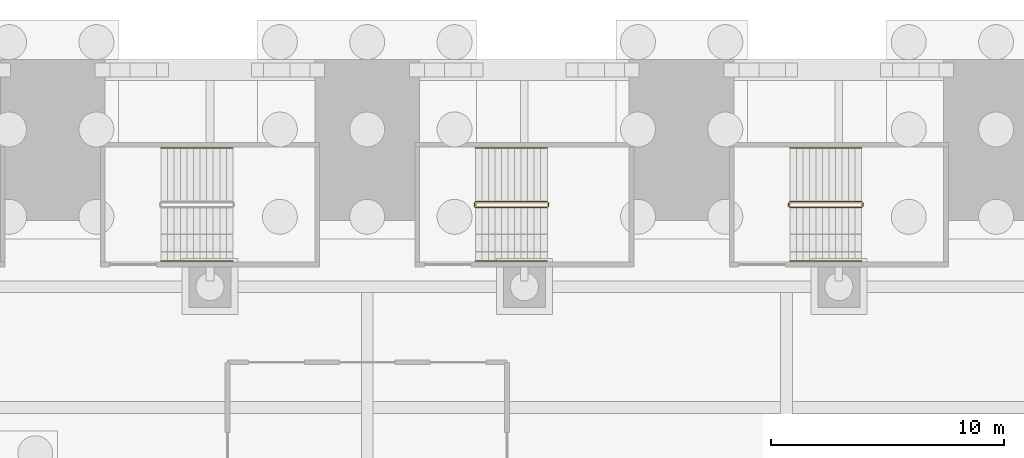
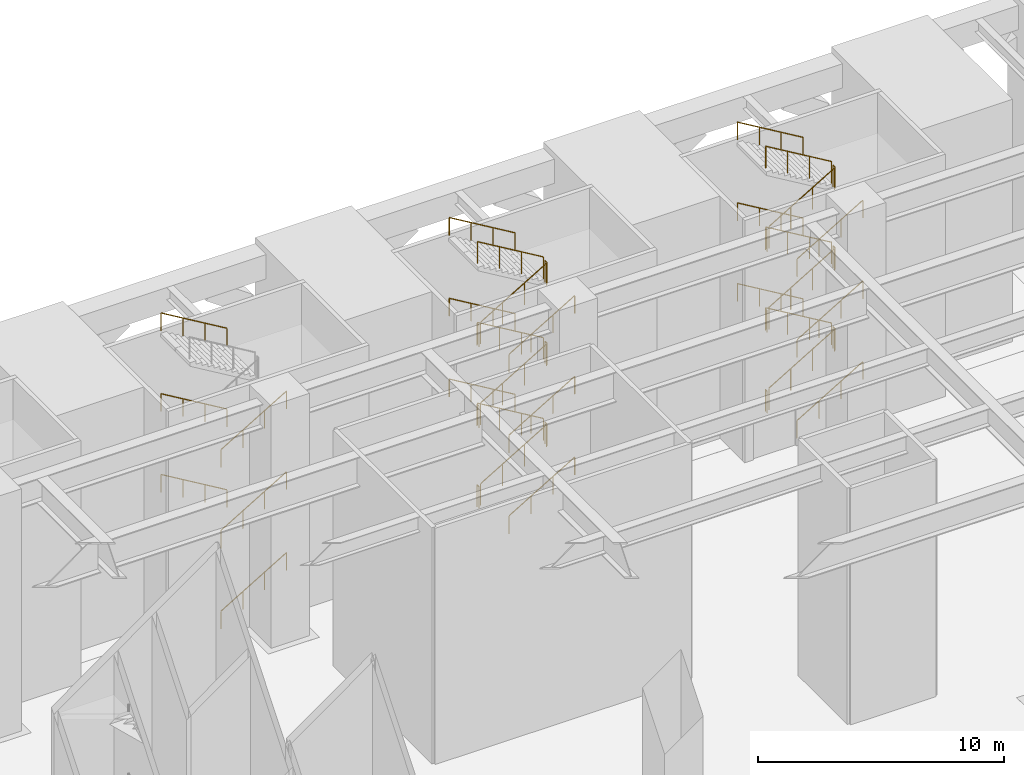
# One storey, part 32 of 34: 5 railings.
"""IFC4 building model written with IfcOpenShell, lengths in metres."""

from ifc_helpers import new_model, si_unit, direction, frame, origin, origin_2d, place, context, subcontext, project, spatial, circle, extrude, material, type_object, element, save


model = new_model("IFC4")

# Units and contexts
model_context = context("Model", 3, precision=1e-05, world=origin(), true_north=direction((0.0, 1.0)))
body_context = subcontext(model_context, "Body", "Model", "MODEL_VIEW")
ifc_project = project(units=[si_unit("LENGTHUNIT", "METRE"), si_unit("AREAUNIT", "SQUARE_METRE"), si_unit("VOLUMEUNIT", "CUBIC_METRE"), si_unit("PLANEANGLEUNIT", "RADIAN"), si_unit("MASSUNIT", "GRAM", prefix="KILO")], contexts=[model_context])

# Site, building, storey
site_placement = place(None, origin())
site = spatial("IfcSite", under=ifc_project, at=site_placement, CompositionType="ELEMENT")
building_placement = place(site_placement, origin())
building = spatial("IfcBuilding", under=site, at=building_placement, Name="Corbelhall Arena Tower", CompositionType="ELEMENT")
storey_placement = place(building_placement, origin())
storey = spatial("IfcBuildingStorey", under=building, at=storey_placement, Name="L00", CompositionType="ELEMENT", Elevation=0.0)

# Railings
ifc_material = material(Name="Stainless steel A4", Category="steel")
railing_type_1 = type_object("IfcRailingType", Name="AR-STAIR-GUARD", PredefinedType="GUARDRAIL", material=ifc_material)
railing_1_placement = place(storey_placement, frame((4.64990234375, 32.64990234375, 0.166748046875)))
element("IfcRailing", 1, at=railing_1_placement, inside=storey, type_object=railing_type_1, Name="L00 AS11 stair guards", PredefinedType="GUARDRAIL", context=body_context, shape_type="SweptSolid", body=[
    extrude(circle(Radius=0.02392578125, at=origin_2d()), frame((0.0, 0.0, 1.076171875), z_axis=(0.859308565015, 0.0, 0.511457515432), x_axis=(0.0, 1.0, 0.0)), (0.0, 0.0, 1.0), 3.58447265625),
    extrude(circle(Radius=0.02392578125, at=origin_2d()), frame((3.130126953125, 0.050048828125, 2.9091796875), z_axis=(0.0, 1.0, 0.0), x_axis=(-1.0, 0.0, 0.0)), (0.0, 0.0, 1.0), 0.150146484375),
    extrude(circle(Radius=0.02392578125, at=origin_2d()), frame((3.080078125, 0.25, 3.076171875), z_axis=(-0.859308565015, 0.0, 0.511457515432), x_axis=(0.0, -1.0, 0.0)), (0.0, 0.0, 1.0), 3.58447265625),
    extrude(circle(Radius=0.02392578125, at=origin_2d()), frame((-0.0498046875, 0.050048828125, 4.9091796875), z_axis=(0.0, 1.0, 0.0), x_axis=(-1.0, 0.0, 0.0)), (0.0, 0.0, 1.0), 0.150146484375),
    extrude(circle(Radius=0.02392578125, at=origin_2d()), frame((0.0, 0.0, 5.076171875), z_axis=(0.859308565015, 0.0, 0.511457515432), x_axis=(0.0, 1.0, 0.0)), (0.0, 0.0, 1.0), 3.58447265625),
    extrude(circle(Radius=0.02392578125, at=origin_2d()), frame((3.130126953125, 0.050048828125, 6.9091796875), z_axis=(0.0, 1.0, 0.0), x_axis=(-1.0, 0.0, 0.0)), (0.0, 0.0, 1.0), 0.150146484375),
    extrude(circle(Radius=0.02392578125, at=origin_2d()), frame((3.080078125, 0.25, 7.076171875), z_axis=(-0.859308565015, 0.0, 0.511457515432), x_axis=(0.0, -1.0, 0.0)), (0.0, 0.0, 1.0), 3.58447265625),
    extrude(circle(Radius=0.02392578125, at=origin_2d()), frame((-0.0498046875, 0.050048828125, 8.9091796875), z_axis=(0.0, 1.0, 0.0), x_axis=(-1.0, 0.0, 0.0)), (0.0, 0.0, 1.0), 0.150146484375),
    extrude(circle(Radius=0.02392578125, at=origin_2d()), frame((0.0, 0.0, 9.076171875), z_axis=(0.859308565015, 0.0, 0.511457515432), x_axis=(0.0, 1.0, 0.0)), (0.0, 0.0, 1.0), 3.58447265625),
    extrude(circle(Radius=0.02392578125, at=origin_2d()), frame((3.130126953125, 0.050048828125, 10.9091796875), z_axis=(0.0, 1.0, 0.0), x_axis=(-1.0, 0.0, 0.0)), (0.0, 0.0, 1.0), 0.150146484375),
    extrude(circle(Radius=0.02392578125, at=origin_2d()), frame((3.080078125, 0.25, 11.076171875), z_axis=(-0.859308565015, 0.0, 0.511457515432), x_axis=(0.0, -1.0, 0.0)), (0.0, 0.0, 1.0), 3.58447265625),
    extrude(circle(Radius=0.02392578125, at=origin_2d()), frame((-0.0498046875, 0.050048828125, 0.9091796875), z_axis=(0.0, 1.0, 0.0), x_axis=(-1.0, 0.0, 0.0)), (0.0, 0.0, 1.0), 0.150146484375),
    extrude(circle(Radius=0.02099609375, at=origin_2d()), origin(), (0.0, 0.0, 1.0), 1.052001953125),
    extrude(circle(Radius=0.02099609375, at=origin_2d()), frame((1.026611328125, 0.0, 0.611083984375)), (0.0, 0.0, 1.0), 1.052001953125),
    extrude(circle(Radius=0.02099609375, at=origin_2d()), frame((2.053466796875, 0.0, 1.22216796875)), (0.0, 0.0, 1.0), 1.052001953125),
    extrude(circle(Radius=0.02099609375, at=origin_2d()), frame((3.080078125, 0.0, 1.833251953125)), (0.0, 0.0, 1.0), 1.052001953125),
    extrude(circle(Radius=0.02099609375, at=origin_2d()), frame((3.130126953125, 0.050048828125, 1.833251953125)), (0.0, 0.0, 1.0), 1.052001953125),
    extrude(circle(Radius=0.02099609375, at=origin_2d()), frame((3.130126953125, 0.2001953125, 1.833251953125)), (0.0, 0.0, 1.0), 1.052001953125),
    extrude(circle(Radius=0.02099609375, at=origin_2d()), frame((3.080078125, 0.25, 2.0)), (0.0, 0.0, 1.0), 1.052001953125),
    extrude(circle(Radius=0.02099609375, at=origin_2d()), frame((2.053466796875, 0.25, 2.611083984375)), (0.0, 0.0, 1.0), 1.052001953125),
    extrude(circle(Radius=0.02099609375, at=origin_2d()), frame((1.026611328125, 0.25, 3.22216796875)), (0.0, 0.0, 1.0), 1.052001953125),
    extrude(circle(Radius=0.02099609375, at=origin_2d()), frame((0.0, 0.25, 3.833251953125)), (0.0, 0.0, 1.0), 1.052001953125),
    extrude(circle(Radius=0.02099609375, at=origin_2d()), frame((-0.0498046875, 0.050048828125, 3.833251953125)), (0.0, 0.0, 1.0), 1.052001953125),
    extrude(circle(Radius=0.02099609375, at=origin_2d()), frame((-0.0498046875, 0.2001953125, 3.833251953125)), (0.0, 0.0, 1.0), 1.052001953125),
    extrude(circle(Radius=0.02099609375, at=origin_2d()), frame((0.0, 0.0, 4.0)), (0.0, 0.0, 1.0), 1.052001953125),
    extrude(circle(Radius=0.02099609375, at=origin_2d()), frame((1.026611328125, 0.0, 4.611083984375)), (0.0, 0.0, 1.0), 1.052001953125),
    extrude(circle(Radius=0.02099609375, at=origin_2d()), frame((2.053466796875, 0.0, 5.22216796875)), (0.0, 0.0, 1.0), 1.052001953125),
    extrude(circle(Radius=0.02099609375, at=origin_2d()), frame((3.080078125, 0.0, 5.833251953125)), (0.0, 0.0, 1.0), 1.052001953125),
    extrude(circle(Radius=0.02099609375, at=origin_2d()), frame((3.130126953125, 0.050048828125, 5.833251953125)), (0.0, 0.0, 1.0), 1.052001953125),
    extrude(circle(Radius=0.02099609375, at=origin_2d()), frame((3.130126953125, 0.2001953125, 5.833251953125)), (0.0, 0.0, 1.0), 1.052001953125),
    extrude(circle(Radius=0.02099609375, at=origin_2d()), frame((3.080078125, 0.25, 6.0)), (0.0, 0.0, 1.0), 1.052001953125),
    extrude(circle(Radius=0.02099609375, at=origin_2d()), frame((2.053466796875, 0.25, 6.611083984375)), (0.0, 0.0, 1.0), 1.052001953125),
    extrude(circle(Radius=0.02099609375, at=origin_2d()), frame((1.026611328125, 0.25, 7.22216796875)), (0.0, 0.0, 1.0), 1.052001953125),
    extrude(circle(Radius=0.02099609375, at=origin_2d()), frame((0.0, 0.25, 7.833251953125)), (0.0, 0.0, 1.0), 1.052001953125),
    extrude(circle(Radius=0.02099609375, at=origin_2d()), frame((-0.0498046875, 0.050048828125, 7.833251953125)), (0.0, 0.0, 1.0), 1.052001953125),
    extrude(circle(Radius=0.02099609375, at=origin_2d()), frame((-0.0498046875, 0.2001953125, 7.833251953125)), (0.0, 0.0, 1.0), 1.052001953125),
    extrude(circle(Radius=0.02099609375, at=origin_2d()), frame((0.0, 0.0, 8.0)), (0.0, 0.0, 1.0), 1.052001953125),
    extrude(circle(Radius=0.02099609375, at=origin_2d()), frame((1.026611328125, 0.0, 8.611083984375)), (0.0, 0.0, 1.0), 1.052001953125),
    extrude(circle(Radius=0.02099609375, at=origin_2d()), frame((2.053466796875, 0.0, 9.22216796875)), (0.0, 0.0, 1.0), 1.052001953125),
    extrude(circle(Radius=0.02099609375, at=origin_2d()), frame((3.080078125, 0.0, 9.833251953125)), (0.0, 0.0, 1.0), 1.052001953125),
    extrude(circle(Radius=0.02099609375, at=origin_2d()), frame((3.130126953125, 0.050048828125, 9.833251953125)), (0.0, 0.0, 1.0), 1.052001953125),
    extrude(circle(Radius=0.02099609375, at=origin_2d()), frame((3.130126953125, 0.2001953125, 9.833251953125)), (0.0, 0.0, 1.0), 1.052001953125),
    extrude(circle(Radius=0.02099609375, at=origin_2d()), frame((3.080078125, 0.25, 10.0)), (0.0, 0.0, 1.0), 1.052001953125),
    extrude(circle(Radius=0.02099609375, at=origin_2d()), frame((2.053466796875, 0.25, 10.611083984375)), (0.0, 0.0, 1.0), 1.052001953125),
    extrude(circle(Radius=0.02099609375, at=origin_2d()), frame((1.026611328125, 0.25, 11.22216796875)), (0.0, 0.0, 1.0), 1.052001953125),
    extrude(circle(Radius=0.02099609375, at=origin_2d()), frame((0.0, 0.25, 11.833251953125)), (0.0, 0.0, 1.0), 1.052001953125),
    extrude(circle(Radius=0.02099609375, at=origin_2d()), frame((-0.0498046875, 0.050048828125, -0.166748046875)), (0.0, 0.0, 1.0), 1.052001953125),
    extrude(circle(Radius=0.02099609375, at=origin_2d()), frame((-0.0498046875, 0.2001953125, -0.166748046875)), (0.0, 0.0, 1.0), 1.052001953125),
])
railing_2_placement = place(storey_placement, frame((18.14990234375, 32.64990234375, 0.166748046875)))
element("IfcRailing", 2, at=railing_2_placement, inside=storey, type_object=railing_type_1, Name="L00 AS12 stair guards", PredefinedType="GUARDRAIL", context=body_context, shape_type="SweptSolid", body=[
    extrude(circle(Radius=0.02392578125, at=origin_2d()), frame((0.0, 0.0, 1.076171875), z_axis=(0.859308565015, 0.0, 0.511457515432), x_axis=(0.0, 1.0, 0.0)), (0.0, 0.0, 1.0), 3.58447265625),
    extrude(circle(Radius=0.02392578125, at=origin_2d()), frame((3.130126953125, 0.050048828125, 2.9091796875), z_axis=(0.0, 1.0, 0.0), x_axis=(-1.0, 0.0, 0.0)), (0.0, 0.0, 1.0), 0.150146484375),
    extrude(circle(Radius=0.02392578125, at=origin_2d()), frame((3.080078125, 0.25, 3.076171875), z_axis=(-0.859308565015, 0.0, 0.511457515432), x_axis=(0.0, -1.0, 0.0)), (0.0, 0.0, 1.0), 3.58447265625),
    extrude(circle(Radius=0.02392578125, at=origin_2d()), frame((-0.0498046875, 0.050048828125, 4.9091796875), z_axis=(0.0, 1.0, 0.0), x_axis=(-1.0, 0.0, 0.0)), (0.0, 0.0, 1.0), 0.150146484375),
    extrude(circle(Radius=0.02392578125, at=origin_2d()), frame((0.0, 0.0, 5.076171875), z_axis=(0.859308565015, 0.0, 0.511457515432), x_axis=(0.0, 1.0, 0.0)), (0.0, 0.0, 1.0), 3.58447265625),
    extrude(circle(Radius=0.02392578125, at=origin_2d()), frame((3.130126953125, 0.050048828125, 6.9091796875), z_axis=(0.0, 1.0, 0.0), x_axis=(-1.0, 0.0, 0.0)), (0.0, 0.0, 1.0), 0.150146484375),
    extrude(circle(Radius=0.02392578125, at=origin_2d()), frame((3.080078125, 0.25, 7.076171875), z_axis=(-0.859308565015, 0.0, 0.511457515432), x_axis=(0.0, -1.0, 0.0)), (0.0, 0.0, 1.0), 3.58447265625),
    extrude(circle(Radius=0.02392578125, at=origin_2d()), frame((-0.0498046875, 0.050048828125, 8.9091796875), z_axis=(0.0, 1.0, 0.0), x_axis=(-1.0, 0.0, 0.0)), (0.0, 0.0, 1.0), 0.150146484375),
    extrude(circle(Radius=0.02392578125, at=origin_2d()), frame((0.0, 0.0, 9.076171875), z_axis=(0.859308565015, 0.0, 0.511457515432), x_axis=(0.0, 1.0, 0.0)), (0.0, 0.0, 1.0), 3.58447265625),
    extrude(circle(Radius=0.02392578125, at=origin_2d()), frame((3.130126953125, 0.050048828125, 10.9091796875), z_axis=(0.0, 1.0, 0.0), x_axis=(-1.0, 0.0, 0.0)), (0.0, 0.0, 1.0), 0.150146484375),
    extrude(circle(Radius=0.02392578125, at=origin_2d()), frame((3.080078125, 0.25, 11.076171875), z_axis=(-0.859308565015, 0.0, 0.511457515432), x_axis=(0.0, -1.0, 0.0)), (0.0, 0.0, 1.0), 3.58447265625),
    extrude(circle(Radius=0.02392578125, at=origin_2d()), frame((-0.0498046875, 0.050048828125, 0.9091796875), z_axis=(0.0, 1.0, 0.0), x_axis=(-1.0, 0.0, 0.0)), (0.0, 0.0, 1.0), 0.150146484375),
    extrude(circle(Radius=0.02099609375, at=origin_2d()), origin(), (0.0, 0.0, 1.0), 1.052001953125),
    extrude(circle(Radius=0.02099609375, at=origin_2d()), frame((1.026611328125, 0.0, 0.611083984375)), (0.0, 0.0, 1.0), 1.052001953125),
    extrude(circle(Radius=0.02099609375, at=origin_2d()), frame((2.053466796875, 0.0, 1.22216796875)), (0.0, 0.0, 1.0), 1.052001953125),
    extrude(circle(Radius=0.02099609375, at=origin_2d()), frame((3.080078125, 0.0, 1.833251953125)), (0.0, 0.0, 1.0), 1.052001953125),
    extrude(circle(Radius=0.02099609375, at=origin_2d()), frame((3.130126953125, 0.050048828125, 1.833251953125)), (0.0, 0.0, 1.0), 1.052001953125),
    extrude(circle(Radius=0.02099609375, at=origin_2d()), frame((3.130126953125, 0.2001953125, 1.833251953125)), (0.0, 0.0, 1.0), 1.052001953125),
    extrude(circle(Radius=0.02099609375, at=origin_2d()), frame((3.080078125, 0.25, 2.0)), (0.0, 0.0, 1.0), 1.052001953125),
    extrude(circle(Radius=0.02099609375, at=origin_2d()), frame((2.053466796875, 0.25, 2.611083984375)), (0.0, 0.0, 1.0), 1.052001953125),
    extrude(circle(Radius=0.02099609375, at=origin_2d()), frame((1.026611328125, 0.25, 3.22216796875)), (0.0, 0.0, 1.0), 1.052001953125),
    extrude(circle(Radius=0.02099609375, at=origin_2d()), frame((0.0, 0.25, 3.833251953125)), (0.0, 0.0, 1.0), 1.052001953125),
    extrude(circle(Radius=0.02099609375, at=origin_2d()), frame((-0.0498046875, 0.050048828125, 3.833251953125)), (0.0, 0.0, 1.0), 1.052001953125),
    extrude(circle(Radius=0.02099609375, at=origin_2d()), frame((-0.0498046875, 0.2001953125, 3.833251953125)), (0.0, 0.0, 1.0), 1.052001953125),
    extrude(circle(Radius=0.02099609375, at=origin_2d()), frame((0.0, 0.0, 4.0)), (0.0, 0.0, 1.0), 1.052001953125),
    extrude(circle(Radius=0.02099609375, at=origin_2d()), frame((1.026611328125, 0.0, 4.611083984375)), (0.0, 0.0, 1.0), 1.052001953125),
    extrude(circle(Radius=0.02099609375, at=origin_2d()), frame((2.053466796875, 0.0, 5.22216796875)), (0.0, 0.0, 1.0), 1.052001953125),
    extrude(circle(Radius=0.02099609375, at=origin_2d()), frame((3.080078125, 0.0, 5.833251953125)), (0.0, 0.0, 1.0), 1.052001953125),
    extrude(circle(Radius=0.02099609375, at=origin_2d()), frame((3.130126953125, 0.050048828125, 5.833251953125)), (0.0, 0.0, 1.0), 1.052001953125),
    extrude(circle(Radius=0.02099609375, at=origin_2d()), frame((3.130126953125, 0.2001953125, 5.833251953125)), (0.0, 0.0, 1.0), 1.052001953125),
    extrude(circle(Radius=0.02099609375, at=origin_2d()), frame((3.080078125, 0.25, 6.0)), (0.0, 0.0, 1.0), 1.052001953125),
    extrude(circle(Radius=0.02099609375, at=origin_2d()), frame((2.053466796875, 0.25, 6.611083984375)), (0.0, 0.0, 1.0), 1.052001953125),
    extrude(circle(Radius=0.02099609375, at=origin_2d()), frame((1.026611328125, 0.25, 7.22216796875)), (0.0, 0.0, 1.0), 1.052001953125),
    extrude(circle(Radius=0.02099609375, at=origin_2d()), frame((0.0, 0.25, 7.833251953125)), (0.0, 0.0, 1.0), 1.052001953125),
    extrude(circle(Radius=0.02099609375, at=origin_2d()), frame((-0.0498046875, 0.050048828125, 7.833251953125)), (0.0, 0.0, 1.0), 1.052001953125),
    extrude(circle(Radius=0.02099609375, at=origin_2d()), frame((-0.0498046875, 0.2001953125, 7.833251953125)), (0.0, 0.0, 1.0), 1.052001953125),
    extrude(circle(Radius=0.02099609375, at=origin_2d()), frame((0.0, 0.0, 8.0)), (0.0, 0.0, 1.0), 1.052001953125),
    extrude(circle(Radius=0.02099609375, at=origin_2d()), frame((1.026611328125, 0.0, 8.611083984375)), (0.0, 0.0, 1.0), 1.052001953125),
    extrude(circle(Radius=0.02099609375, at=origin_2d()), frame((2.053466796875, 0.0, 9.22216796875)), (0.0, 0.0, 1.0), 1.052001953125),
    extrude(circle(Radius=0.02099609375, at=origin_2d()), frame((3.080078125, 0.0, 9.833251953125)), (0.0, 0.0, 1.0), 1.052001953125),
    extrude(circle(Radius=0.02099609375, at=origin_2d()), frame((3.130126953125, 0.050048828125, 9.833251953125)), (0.0, 0.0, 1.0), 1.052001953125),
    extrude(circle(Radius=0.02099609375, at=origin_2d()), frame((3.130126953125, 0.2001953125, 9.833251953125)), (0.0, 0.0, 1.0), 1.052001953125),
    extrude(circle(Radius=0.02099609375, at=origin_2d()), frame((3.080078125, 0.25, 10.0)), (0.0, 0.0, 1.0), 1.052001953125),
    extrude(circle(Radius=0.02099609375, at=origin_2d()), frame((2.053466796875, 0.25, 10.611083984375)), (0.0, 0.0, 1.0), 1.052001953125),
    extrude(circle(Radius=0.02099609375, at=origin_2d()), frame((1.026611328125, 0.25, 11.22216796875)), (0.0, 0.0, 1.0), 1.052001953125),
    extrude(circle(Radius=0.02099609375, at=origin_2d()), frame((0.0, 0.25, 11.833251953125)), (0.0, 0.0, 1.0), 1.052001953125),
    extrude(circle(Radius=0.02099609375, at=origin_2d()), frame((-0.0498046875, 0.050048828125, -0.166748046875)), (0.0, 0.0, 1.0), 1.052001953125),
    extrude(circle(Radius=0.02099609375, at=origin_2d()), frame((-0.0498046875, 0.2001953125, -0.166748046875)), (0.0, 0.0, 1.0), 1.052001953125),
])
railing_type_2 = type_object("IfcRailingType", Name="AR-STAIR-HANDRAIL", PredefinedType="HANDRAIL", material=ifc_material)
railing_3_placement = place(storey_placement, frame((-8.85009765625, 30.35009765625, 0.166748046875)))
element("IfcRailing", 3, at=railing_3_placement, inside=storey, type_object=railing_type_2, Name="L00 AS10 stair handrails", PredefinedType="HANDRAIL", context=body_context, shape_type="SweptSolid", body=[
    extrude(circle(Radius=0.02392578125, at=origin_2d()), frame((0.0, 0.0, 0.8759765625), z_axis=(0.859308565015, 0.0, 0.511457515432), x_axis=(0.0, 1.0, 0.0)), (0.0, 0.0, 1.0), 3.58447265625),
    extrude(circle(Radius=0.02392578125, at=origin_2d()), frame((3.080078125, 4.849853515625, 2.8759765625), z_axis=(-0.859308565015, 0.0, 0.511457515432), x_axis=(0.0, -1.0, 0.0)), (0.0, 0.0, 1.0), 3.58447265625),
    extrude(circle(Radius=0.02392578125, at=origin_2d()), frame((0.0, 0.0, 4.8759765625), z_axis=(0.859308565015, 0.0, 0.511457515432), x_axis=(0.0, 1.0, 0.0)), (0.0, 0.0, 1.0), 3.58447265625),
    extrude(circle(Radius=0.02392578125, at=origin_2d()), frame((3.080078125, 4.849853515625, 6.8759765625), z_axis=(-0.859308565015, 0.0, 0.511457515432), x_axis=(0.0, -1.0, 0.0)), (0.0, 0.0, 1.0), 3.58447265625),
    extrude(circle(Radius=0.02392578125, at=origin_2d()), frame((0.0, 0.0, 8.8759765625), z_axis=(0.859308565015, 0.0, 0.511457515432), x_axis=(0.0, 1.0, 0.0)), (0.0, 0.0, 1.0), 3.58447265625),
    extrude(circle(Radius=0.02392578125, at=origin_2d()), frame((3.080078125, 4.849853515625, 10.8759765625), z_axis=(-0.859308565015, 0.0, 0.511457515432), x_axis=(0.0, -1.0, 0.0)), (0.0, 0.0, 1.0), 3.58447265625),
    extrude(circle(Radius=0.02099609375, at=origin_2d()), origin(), (0.0, 0.0, 1.0), 0.851806640625),
    extrude(circle(Radius=0.02099609375, at=origin_2d()), frame((1.026611328125, 0.0, 0.611083984375)), (0.0, 0.0, 1.0), 0.851806640625),
    extrude(circle(Radius=0.02099609375, at=origin_2d()), frame((2.053466796875, 0.0, 1.22216796875)), (0.0, 0.0, 1.0), 0.851806640625),
    extrude(circle(Radius=0.02099609375, at=origin_2d()), frame((3.080078125, 0.0, 1.833251953125)), (0.0, 0.0, 1.0), 0.851806640625),
    extrude(circle(Radius=0.02099609375, at=origin_2d()), frame((3.080078125, 4.849853515625, 2.0)), (0.0, 0.0, 1.0), 0.851806640625),
    extrude(circle(Radius=0.02099609375, at=origin_2d()), frame((2.053466796875, 4.849853515625, 2.611083984375)), (0.0, 0.0, 1.0), 0.851806640625),
    extrude(circle(Radius=0.02099609375, at=origin_2d()), frame((1.026611328125, 4.849853515625, 3.22216796875)), (0.0, 0.0, 1.0), 0.851806640625),
    extrude(circle(Radius=0.02099609375, at=origin_2d()), frame((0.0, 4.849853515625, 3.833251953125)), (0.0, 0.0, 1.0), 0.851806640625),
    extrude(circle(Radius=0.02099609375, at=origin_2d()), frame((0.0, 0.0, 4.0)), (0.0, 0.0, 1.0), 0.851806640625),
    extrude(circle(Radius=0.02099609375, at=origin_2d()), frame((1.026611328125, 0.0, 4.611083984375)), (0.0, 0.0, 1.0), 0.851806640625),
    extrude(circle(Radius=0.02099609375, at=origin_2d()), frame((2.053466796875, 0.0, 5.22216796875)), (0.0, 0.0, 1.0), 0.851806640625),
    extrude(circle(Radius=0.02099609375, at=origin_2d()), frame((3.080078125, 0.0, 5.833251953125)), (0.0, 0.0, 1.0), 0.851806640625),
    extrude(circle(Radius=0.02099609375, at=origin_2d()), frame((3.080078125, 4.849853515625, 6.0)), (0.0, 0.0, 1.0), 0.851806640625),
    extrude(circle(Radius=0.02099609375, at=origin_2d()), frame((2.053466796875, 4.849853515625, 6.611083984375)), (0.0, 0.0, 1.0), 0.851806640625),
    extrude(circle(Radius=0.02099609375, at=origin_2d()), frame((1.026611328125, 4.849853515625, 7.22216796875)), (0.0, 0.0, 1.0), 0.851806640625),
    extrude(circle(Radius=0.02099609375, at=origin_2d()), frame((0.0, 4.849853515625, 7.833251953125)), (0.0, 0.0, 1.0), 0.851806640625),
    extrude(circle(Radius=0.02099609375, at=origin_2d()), frame((0.0, 0.0, 8.0)), (0.0, 0.0, 1.0), 0.851806640625),
    extrude(circle(Radius=0.02099609375, at=origin_2d()), frame((1.026611328125, 0.0, 8.611083984375)), (0.0, 0.0, 1.0), 0.851806640625),
    extrude(circle(Radius=0.02099609375, at=origin_2d()), frame((2.053466796875, 0.0, 9.22216796875)), (0.0, 0.0, 1.0), 0.851806640625),
    extrude(circle(Radius=0.02099609375, at=origin_2d()), frame((3.080078125, 0.0, 9.833251953125)), (0.0, 0.0, 1.0), 0.851806640625),
    extrude(circle(Radius=0.02099609375, at=origin_2d()), frame((3.080078125, 4.849853515625, 10.0)), (0.0, 0.0, 1.0), 0.851806640625),
    extrude(circle(Radius=0.02099609375, at=origin_2d()), frame((2.053466796875, 4.849853515625, 10.611083984375)), (0.0, 0.0, 1.0), 0.851806640625),
    extrude(circle(Radius=0.02099609375, at=origin_2d()), frame((1.026611328125, 4.849853515625, 11.22216796875)), (0.0, 0.0, 1.0), 0.851806640625),
    extrude(circle(Radius=0.02099609375, at=origin_2d()), frame((0.0, 4.849853515625, 11.833251953125)), (0.0, 0.0, 1.0), 0.851806640625),
])
railing_4_placement = place(storey_placement, frame((4.64990234375, 30.35009765625, 0.166748046875)))
element("IfcRailing", 4, at=railing_4_placement, inside=storey, type_object=railing_type_2, Name="L00 AS11 stair handrails", PredefinedType="HANDRAIL", context=body_context, shape_type="SweptSolid", body=[
    extrude(circle(Radius=0.02392578125, at=origin_2d()), frame((0.0, 0.0, 0.8759765625), z_axis=(0.859308565015, 0.0, 0.511457515432), x_axis=(0.0, 1.0, 0.0)), (0.0, 0.0, 1.0), 3.58447265625),
    extrude(circle(Radius=0.02392578125, at=origin_2d()), frame((3.080078125, 4.849853515625, 2.8759765625), z_axis=(-0.859308565015, 0.0, 0.511457515432), x_axis=(0.0, -1.0, 0.0)), (0.0, 0.0, 1.0), 3.58447265625),
    extrude(circle(Radius=0.02392578125, at=origin_2d()), frame((0.0, 0.0, 4.8759765625), z_axis=(0.859308565015, 0.0, 0.511457515432), x_axis=(0.0, 1.0, 0.0)), (0.0, 0.0, 1.0), 3.58447265625),
    extrude(circle(Radius=0.02392578125, at=origin_2d()), frame((3.080078125, 4.849853515625, 6.8759765625), z_axis=(-0.859308565015, 0.0, 0.511457515432), x_axis=(0.0, -1.0, 0.0)), (0.0, 0.0, 1.0), 3.58447265625),
    extrude(circle(Radius=0.02392578125, at=origin_2d()), frame((0.0, 0.0, 8.8759765625), z_axis=(0.859308565015, 0.0, 0.511457515432), x_axis=(0.0, 1.0, 0.0)), (0.0, 0.0, 1.0), 3.58447265625),
    extrude(circle(Radius=0.02392578125, at=origin_2d()), frame((3.080078125, 4.849853515625, 10.8759765625), z_axis=(-0.859308565015, 0.0, 0.511457515432), x_axis=(0.0, -1.0, 0.0)), (0.0, 0.0, 1.0), 3.58447265625),
    extrude(circle(Radius=0.02099609375, at=origin_2d()), origin(), (0.0, 0.0, 1.0), 0.851806640625),
    extrude(circle(Radius=0.02099609375, at=origin_2d()), frame((1.026611328125, 0.0, 0.611083984375)), (0.0, 0.0, 1.0), 0.851806640625),
    extrude(circle(Radius=0.02099609375, at=origin_2d()), frame((2.053466796875, 0.0, 1.22216796875)), (0.0, 0.0, 1.0), 0.851806640625),
    extrude(circle(Radius=0.02099609375, at=origin_2d()), frame((3.080078125, 0.0, 1.833251953125)), (0.0, 0.0, 1.0), 0.851806640625),
    extrude(circle(Radius=0.02099609375, at=origin_2d()), frame((3.080078125, 4.849853515625, 2.0)), (0.0, 0.0, 1.0), 0.851806640625),
    extrude(circle(Radius=0.02099609375, at=origin_2d()), frame((2.053466796875, 4.849853515625, 2.611083984375)), (0.0, 0.0, 1.0), 0.851806640625),
    extrude(circle(Radius=0.02099609375, at=origin_2d()), frame((1.026611328125, 4.849853515625, 3.22216796875)), (0.0, 0.0, 1.0), 0.851806640625),
    extrude(circle(Radius=0.02099609375, at=origin_2d()), frame((0.0, 4.849853515625, 3.833251953125)), (0.0, 0.0, 1.0), 0.851806640625),
    extrude(circle(Radius=0.02099609375, at=origin_2d()), frame((0.0, 0.0, 4.0)), (0.0, 0.0, 1.0), 0.851806640625),
    extrude(circle(Radius=0.02099609375, at=origin_2d()), frame((1.026611328125, 0.0, 4.611083984375)), (0.0, 0.0, 1.0), 0.851806640625),
    extrude(circle(Radius=0.02099609375, at=origin_2d()), frame((2.053466796875, 0.0, 5.22216796875)), (0.0, 0.0, 1.0), 0.851806640625),
    extrude(circle(Radius=0.02099609375, at=origin_2d()), frame((3.080078125, 0.0, 5.833251953125)), (0.0, 0.0, 1.0), 0.851806640625),
    extrude(circle(Radius=0.02099609375, at=origin_2d()), frame((3.080078125, 4.849853515625, 6.0)), (0.0, 0.0, 1.0), 0.851806640625),
    extrude(circle(Radius=0.02099609375, at=origin_2d()), frame((2.053466796875, 4.849853515625, 6.611083984375)), (0.0, 0.0, 1.0), 0.851806640625),
    extrude(circle(Radius=0.02099609375, at=origin_2d()), frame((1.026611328125, 4.849853515625, 7.22216796875)), (0.0, 0.0, 1.0), 0.851806640625),
    extrude(circle(Radius=0.02099609375, at=origin_2d()), frame((0.0, 4.849853515625, 7.833251953125)), (0.0, 0.0, 1.0), 0.851806640625),
    extrude(circle(Radius=0.02099609375, at=origin_2d()), frame((0.0, 0.0, 8.0)), (0.0, 0.0, 1.0), 0.851806640625),
    extrude(circle(Radius=0.02099609375, at=origin_2d()), frame((1.026611328125, 0.0, 8.611083984375)), (0.0, 0.0, 1.0), 0.851806640625),
    extrude(circle(Radius=0.02099609375, at=origin_2d()), frame((2.053466796875, 0.0, 9.22216796875)), (0.0, 0.0, 1.0), 0.851806640625),
    extrude(circle(Radius=0.02099609375, at=origin_2d()), frame((3.080078125, 0.0, 9.833251953125)), (0.0, 0.0, 1.0), 0.851806640625),
    extrude(circle(Radius=0.02099609375, at=origin_2d()), frame((3.080078125, 4.849853515625, 10.0)), (0.0, 0.0, 1.0), 0.851806640625),
    extrude(circle(Radius=0.02099609375, at=origin_2d()), frame((2.053466796875, 4.849853515625, 10.611083984375)), (0.0, 0.0, 1.0), 0.851806640625),
    extrude(circle(Radius=0.02099609375, at=origin_2d()), frame((1.026611328125, 4.849853515625, 11.22216796875)), (0.0, 0.0, 1.0), 0.851806640625),
    extrude(circle(Radius=0.02099609375, at=origin_2d()), frame((0.0, 4.849853515625, 11.833251953125)), (0.0, 0.0, 1.0), 0.851806640625),
])
railing_5_placement = place(storey_placement, frame((18.14990234375, 30.35009765625, 0.166748046875)))
element("IfcRailing", 5, at=railing_5_placement, inside=storey, type_object=railing_type_2, Name="L00 AS12 stair handrails", PredefinedType="HANDRAIL", context=body_context, shape_type="SweptSolid", body=[
    extrude(circle(Radius=0.02392578125, at=origin_2d()), frame((0.0, 0.0, 0.8759765625), z_axis=(0.859308565015, 0.0, 0.511457515432), x_axis=(0.0, 1.0, 0.0)), (0.0, 0.0, 1.0), 3.58447265625),
    extrude(circle(Radius=0.02392578125, at=origin_2d()), frame((3.080078125, 4.849853515625, 2.8759765625), z_axis=(-0.859308565015, 0.0, 0.511457515432), x_axis=(0.0, -1.0, 0.0)), (0.0, 0.0, 1.0), 3.58447265625),
    extrude(circle(Radius=0.02392578125, at=origin_2d()), frame((0.0, 0.0, 4.8759765625), z_axis=(0.859308565015, 0.0, 0.511457515432), x_axis=(0.0, 1.0, 0.0)), (0.0, 0.0, 1.0), 3.58447265625),
    extrude(circle(Radius=0.02392578125, at=origin_2d()), frame((3.080078125, 4.849853515625, 6.8759765625), z_axis=(-0.859308565015, 0.0, 0.511457515432), x_axis=(0.0, -1.0, 0.0)), (0.0, 0.0, 1.0), 3.58447265625),
    extrude(circle(Radius=0.02392578125, at=origin_2d()), frame((0.0, 0.0, 8.8759765625), z_axis=(0.859308565015, 0.0, 0.511457515432), x_axis=(0.0, 1.0, 0.0)), (0.0, 0.0, 1.0), 3.58447265625),
    extrude(circle(Radius=0.02392578125, at=origin_2d()), frame((3.080078125, 4.849853515625, 10.8759765625), z_axis=(-0.859308565015, 0.0, 0.511457515432), x_axis=(0.0, -1.0, 0.0)), (0.0, 0.0, 1.0), 3.58447265625),
    extrude(circle(Radius=0.02099609375, at=origin_2d()), origin(), (0.0, 0.0, 1.0), 0.851806640625),
    extrude(circle(Radius=0.02099609375, at=origin_2d()), frame((1.026611328125, 0.0, 0.611083984375)), (0.0, 0.0, 1.0), 0.851806640625),
    extrude(circle(Radius=0.02099609375, at=origin_2d()), frame((2.053466796875, 0.0, 1.22216796875)), (0.0, 0.0, 1.0), 0.851806640625),
    extrude(circle(Radius=0.02099609375, at=origin_2d()), frame((3.080078125, 0.0, 1.833251953125)), (0.0, 0.0, 1.0), 0.851806640625),
    extrude(circle(Radius=0.02099609375, at=origin_2d()), frame((3.080078125, 4.849853515625, 2.0)), (0.0, 0.0, 1.0), 0.851806640625),
    extrude(circle(Radius=0.02099609375, at=origin_2d()), frame((2.053466796875, 4.849853515625, 2.611083984375)), (0.0, 0.0, 1.0), 0.851806640625),
    extrude(circle(Radius=0.02099609375, at=origin_2d()), frame((1.026611328125, 4.849853515625, 3.22216796875)), (0.0, 0.0, 1.0), 0.851806640625),
    extrude(circle(Radius=0.02099609375, at=origin_2d()), frame((0.0, 4.849853515625, 3.833251953125)), (0.0, 0.0, 1.0), 0.851806640625),
    extrude(circle(Radius=0.02099609375, at=origin_2d()), frame((0.0, 0.0, 4.0)), (0.0, 0.0, 1.0), 0.851806640625),
    extrude(circle(Radius=0.02099609375, at=origin_2d()), frame((1.026611328125, 0.0, 4.611083984375)), (0.0, 0.0, 1.0), 0.851806640625),
    extrude(circle(Radius=0.02099609375, at=origin_2d()), frame((2.053466796875, 0.0, 5.22216796875)), (0.0, 0.0, 1.0), 0.851806640625),
    extrude(circle(Radius=0.02099609375, at=origin_2d()), frame((3.080078125, 0.0, 5.833251953125)), (0.0, 0.0, 1.0), 0.851806640625),
    extrude(circle(Radius=0.02099609375, at=origin_2d()), frame((3.080078125, 4.849853515625, 6.0)), (0.0, 0.0, 1.0), 0.851806640625),
    extrude(circle(Radius=0.02099609375, at=origin_2d()), frame((2.053466796875, 4.849853515625, 6.611083984375)), (0.0, 0.0, 1.0), 0.851806640625),
    extrude(circle(Radius=0.02099609375, at=origin_2d()), frame((1.026611328125, 4.849853515625, 7.22216796875)), (0.0, 0.0, 1.0), 0.851806640625),
    extrude(circle(Radius=0.02099609375, at=origin_2d()), frame((0.0, 4.849853515625, 7.833251953125)), (0.0, 0.0, 1.0), 0.851806640625),
    extrude(circle(Radius=0.02099609375, at=origin_2d()), frame((0.0, 0.0, 8.0)), (0.0, 0.0, 1.0), 0.851806640625),
    extrude(circle(Radius=0.02099609375, at=origin_2d()), frame((1.026611328125, 0.0, 8.611083984375)), (0.0, 0.0, 1.0), 0.851806640625),
    extrude(circle(Radius=0.02099609375, at=origin_2d()), frame((2.053466796875, 0.0, 9.22216796875)), (0.0, 0.0, 1.0), 0.851806640625),
    extrude(circle(Radius=0.02099609375, at=origin_2d()), frame((3.080078125, 0.0, 9.833251953125)), (0.0, 0.0, 1.0), 0.851806640625),
    extrude(circle(Radius=0.02099609375, at=origin_2d()), frame((3.080078125, 4.849853515625, 10.0)), (0.0, 0.0, 1.0), 0.851806640625),
    extrude(circle(Radius=0.02099609375, at=origin_2d()), frame((2.053466796875, 4.849853515625, 10.611083984375)), (0.0, 0.0, 1.0), 0.851806640625),
    extrude(circle(Radius=0.02099609375, at=origin_2d()), frame((1.026611328125, 4.849853515625, 11.22216796875)), (0.0, 0.0, 1.0), 0.851806640625),
    extrude(circle(Radius=0.02099609375, at=origin_2d()), frame((0.0, 4.849853515625, 11.833251953125)), (0.0, 0.0, 1.0), 0.851806640625),
])

save(model, "model.ifc")
